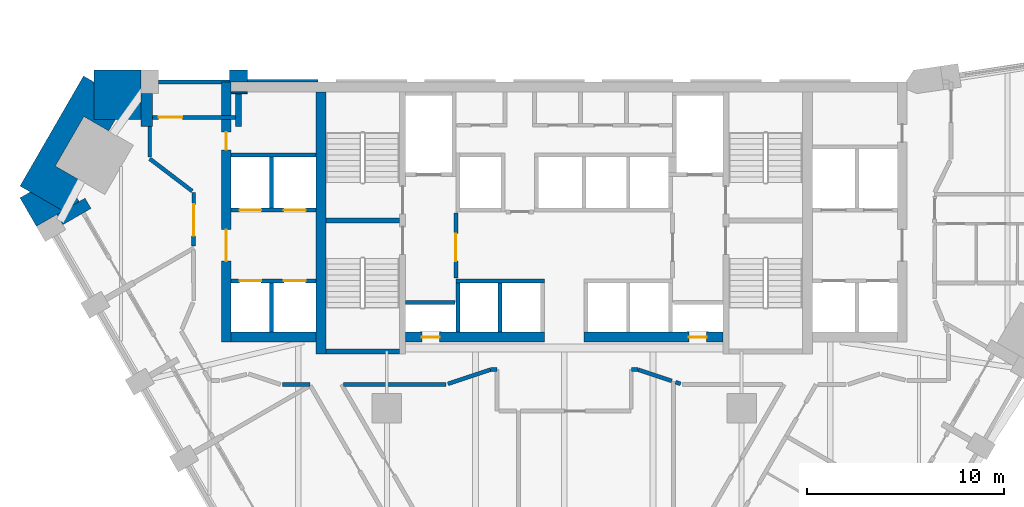
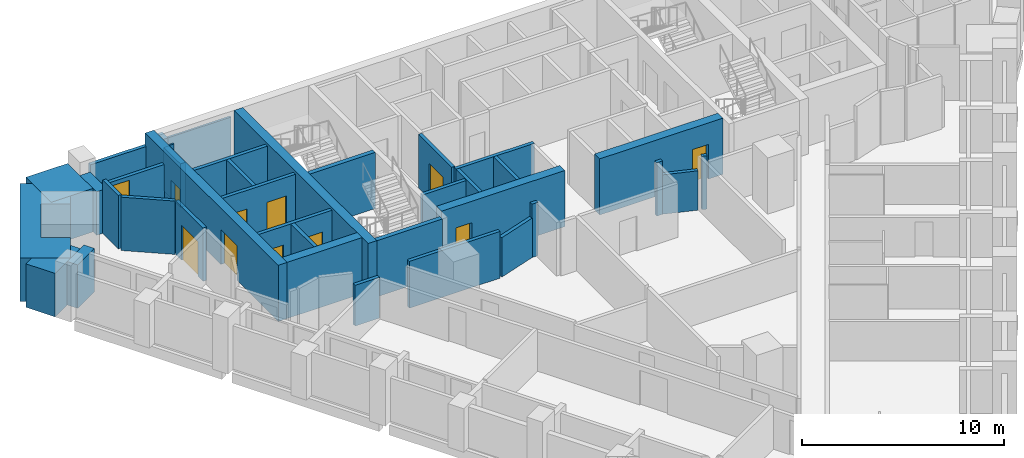
# One storey, part 6 of 11: 38 walls, 11 doors, 11 openings.
"""IFC4 building model written with IfcOpenShell, lengths in metres."""

from ifc_helpers import new_model, si_unit, direction, frame, frame_2d, origin, place, context, subcontext, project, spatial, polyline, rectangle, outline, extrude, material, layer, layer_set, type_object, element, fill, save


model = new_model("IFC4")

# Units and contexts
model_context = context("Model", 3, precision=1e-05, world=origin(), true_north=direction((0.0, 1.0)))
body_context = subcontext(model_context, "Body", "Model", "MODEL_VIEW")
ifc_project = project(units=[si_unit("LENGTHUNIT", "METRE"), si_unit("AREAUNIT", "SQUARE_METRE"), si_unit("VOLUMEUNIT", "CUBIC_METRE"), si_unit("PLANEANGLEUNIT", "RADIAN"), si_unit("MASSUNIT", "GRAM", prefix="KILO")], contexts=[model_context])

# Site, building, storey
site_placement = place(None, origin())
site = spatial("IfcSite", under=ifc_project, at=site_placement, CompositionType="ELEMENT")
building_placement = place(site_placement, origin())
building = spatial("IfcBuilding", under=site, at=building_placement, Name="Calabash Gate Tower", CompositionType="ELEMENT")
storey_placement = place(building_placement, frame((0.0, 0.0, 115.60009765625)))
storey = spatial("IfcBuildingStorey", under=building, at=storey_placement, Name="L26", CompositionType="ELEMENT", Elevation=115.60009765625)

# Walls
ifc_material_1 = material(Name="Terracotta brick masonry, exposed face", Category="masonry")
ifc_layer_1 = layer(ifc_material_1, 2.5)
ifc_layer_set_1 = layer_set([ifc_layer_1], Name="Brick corner mass wall 2500")
wall_type_1 = type_object("IfcWallType", Name="Brick corner mass wall 2500", PredefinedType="SOLIDWALL", material=ifc_layer_set_1)
wall_1_placement = place(storey_placement, origin())
element("IfcWall", 1, at=wall_1_placement, inside=storey, type_object=wall_type_1, Name="Brick corner pier S07 3a", PredefinedType="SOLIDWALL", context=body_context, shape_type="SweptSolid", body=[
    extrude(outline(polyline([(-23.87255859375, 17.152587890625), (-21.48291015625, 17.152587890625), (-21.48291015625, 18.452880859375), (-21.48291015625, 18.452880859375), (-21.48291015625, 19.652587890625), (-23.87255859375, 19.652587890625), (-23.87255859375, 17.152587890625)])), origin(), (0.0, 0.0, 1.0), 2.6298828125),
])
wall_2_placement = place(storey_placement, origin())
element("IfcWall", 2, at=wall_2_placement, inside=storey, type_object=wall_type_1, Name="Brick corner pier S07 3b", PredefinedType="SOLIDWALL", context=body_context, shape_type="SweptSolid", body=[
    extrude(outline(polyline([(-23.114013671875, 16.56640625), (-22.775634765625, 17.152587890625), (-23.87255859375, 17.152587890625), (-23.87255859375, 19.052490234375), (-24.392333984375, 19.3525390625), (-27.616455078125, 13.76806640625), (-25.451416015625, 12.51806640625), (-24.56396484375, 14.054931640625), (-25.82373046875, 14.7822265625), (-24.373779296875, 17.293701171875), (-23.114013671875, 16.56640625)])), origin(), (0.0, 0.0, 1.0), 2.6298828125),
])
wall_3_placement = place(storey_placement, origin())
element("IfcWall", 3, at=wall_3_placement, inside=storey, type_object=wall_type_1, Name="Brick corner pier S07 3c", PredefinedType="SOLIDWALL", context=body_context, shape_type="SweptSolid", body=[
    extrude(outline(polyline([(-26.78369140625, 11.725830078125), (-24.61865234375, 12.975830078125), (-24.90283203125, 13.46826171875), (-25.451416015625, 12.51806640625), (-27.0966796875, 13.46826171875), (-27.616455078125, 13.168212890625), (-26.78369140625, 11.725830078125)])), origin(), (0.0, 0.0, 1.0), 2.6298828125),
])
ifc_material_2 = material(Name="Terracotta brick masonry, exposed face", Category="masonry")
ifc_layer_2 = layer(ifc_material_2, 1.199951171875)
ifc_layer_set_2 = layer_set([ifc_layer_2], Name="Brick end wall 1200")
wall_type_2 = type_object("IfcWallType", Name="Brick end wall 1200", PredefinedType="SOLIDWALL", material=ifc_layer_set_2)
wall_4_placement = place(storey_placement, origin())
element("IfcWall", 4, at=wall_4_placement, inside=storey, type_object=wall_type_2, Name="Brick pier S07 N6.7a", PredefinedType="SOLIDWALL", context=body_context, shape_type="SweptSolid", body=[
    extrude(outline(polyline([(-16.0830078125, 19.052490234375), (-16.0830078125, 19.652587890625), (-16.98291015625, 19.652587890625), (-16.98291015625, 19.052490234375), (-16.0830078125, 19.052490234375)])), origin(), (0.0, 0.0, 1.0), 2.64990234375),
])
wall_5_placement = place(storey_placement, origin())
element("IfcWall", 5, at=wall_5_placement, inside=storey, type_object=wall_type_2, Name="Brick pier S07 N6.7b", PredefinedType="SOLIDWALL", context=body_context, shape_type="SweptSolid", body=[
    extrude(outline(polyline([(-16.0830078125, 18.45263671875), (-16.0830078125, 18.552490234375), (-16.89990234375, 18.552490234375), (-16.89990234375, 18.45263671875), (-16.0830078125, 18.45263671875)])), origin(), (0.0, 0.0, 1.0), 2.64990234375),
])
ifc_material_3 = material(Name="Terracotta brick masonry, exposed face", Category="masonry")
ifc_layer_3 = layer(ifc_material_3, 0.300048828125)
ifc_layer_set_3 = layer_set([ifc_layer_3], Name="Brick loggia cheek wall 300")
wall_type_3 = type_object("IfcWallType", Name="Brick loggia cheek wall 300", PredefinedType="SOLIDWALL", material=ifc_layer_set_3)
wall_6_placement = place(storey_placement, frame((-25.594482421875, 12.06591796875, 0.0), z_axis=(0.0, 0.0, 1.0), x_axis=(0.866040211805, 0.499974350878, 0.0)))
element("IfcWall", 6, at=wall_6_placement, inside=storey, type_object=wall_type_3, Name="Loggia cheek S07 SW0.0", PredefinedType="SOLIDWALL", context=body_context, shape_type="SweptSolid", body=[
    extrude(rectangle(XDim=1.64990234375, YDim=0.60009765625, at=frame_2d((0.824951171875, 0.0))), origin(), (0.0, 0.0, 1.0), 2.6298828125),
])
wall_7_placement = place(storey_placement, origin())
element("IfcWall", 7, at=wall_7_placement, inside=storey, type_object=wall_type_3, Name="Loggia cheek S07 N6.7", PredefinedType="SOLIDWALL", context=body_context, shape_type="SweptSolid", body=[
    extrude(outline(polyline([(-16.383056640625, 16.802490234375), (-16.383056640625, 18.45263671875), (-16.682861328125, 18.45263671875), (-16.682861328125, 16.802490234375), (-16.383056640625, 16.802490234375)])), origin(), (0.0, 0.0, 1.0), 2.64990234375),
])
wall_8_placement = place(storey_placement, origin())
element("IfcWall", 8, at=wall_8_placement, inside=storey, type_object=wall_type_3, Name="Loggia cheek S07 N6.8", PredefinedType="SOLIDWALL", context=body_context, shape_type="SweptSolid", body=[
    extrude(outline(polyline([(-21.48291015625, 18.45263671875), (-21.48291015625, 16.802490234375), (-20.883056640625, 16.802490234375), (-20.883056640625, 18.45263671875), (-21.48291015625, 18.45263671875)])), origin(), (0.0, 0.0, 1.0), 2.6298828125),
])
ifc_material_4 = material(Name="Concrete C80/95", Category="concrete")
ifc_layer_4 = layer(ifc_material_4, 0.25)
ifc_layer_set_4 = layer_set([ifc_layer_4], Name="Core wall 250 Concrete C80/95")
wall_type_4 = type_object("IfcWallType", Name="Core wall 250 Concrete C80/95", PredefinedType="SHEAR", material=ifc_layer_set_4)
for number, where, z_axis, x_axis, name in (
    (9, (-12.10009765625, 12.027587890625, 0.0), (0.0, 0.0, 1.0), (1.0, 0.0, 0.0), "Core wall Z2-MIDW L26"),
    (10, (-12.10009765625, 5.377685546875, 0.0), (0.0, 0.0, 1.0), (1.0, 0.0, 0.0), "Core wall Z2-SSW L26"),
):
    element("IfcWall", number, at=place(storey_placement, frame(where, z_axis=z_axis, x_axis=x_axis)), inside=storey, type_object=wall_type_4, Name=name, PredefinedType="SHEAR", context=body_context, shape_type="SweptSolid", body=[
        extrude(rectangle(XDim=3.75, YDim=0.25, at=frame_2d((1.875, 0.0))), origin(), (0.0, 0.0, 1.0), 3.39990234375),
    ])
ifc_material_5 = material(Name="Concrete C80/95", Category="concrete")
ifc_layer_5 = layer(ifc_material_5, 0.5)
ifc_layer_set_5 = layer_set([ifc_layer_5], Name="Core wall 500 Concrete C80/95")
wall_type_5 = type_object("IfcWallType", Name="Core wall 500 Concrete C80/95", PredefinedType="SHEAR", material=ifc_layer_set_5)
wall_9_placement = place(storey_placement, frame((-12.35009765625, 5.252685546875, 0.0), z_axis=(0.0, 0.0, 1.0), x_axis=(0.0, 1.0, 0.0)))
element("IfcWall", 11, at=wall_9_placement, inside=storey, type_object=wall_type_5, Name="Core wall Z2-COLW L26", PredefinedType="SHEAR", context=body_context, shape_type="SweptSolid", body=[
    extrude(rectangle(XDim=13.2998046875, YDim=0.5, at=frame_2d((6.64990234375, 0.0))), origin(), (0.0, 0.0, 1.0), 3.39990234375),
])

# Wall, opening, door
wall_10_placement = place(storey_placement, frame((-8.050048828125, 6.1025390625, 0.0), z_axis=(0.0, 0.0, 1.0), x_axis=(1.0, 0.0, 0.0)))
wall_10 = element("IfcWall", 12, at=wall_10_placement, inside=storey, type_object=wall_type_5, Name="Core wall Z2-SA L26", PredefinedType="SHEAR", context=body_context, shape_type="SweptSolid", body=[
    extrude(rectangle(XDim=7.050048828125, YDim=0.5, at=frame_2d((3.52490234375, 0.0))), origin(), (0.0, 0.0, 1.0), 3.39990234375),
])
opening_1_placement = place(wall_10_placement, frame((0.824951171875, 0.0, 0.0)))
opening_1 = element("IfcOpeningElement", 13, at=opening_1_placement, cuts=wall_10, Name="Opening H7-013", PredefinedType="OPENING", context=body_context, shape_type="SweptSolid", body=[
    extrude(rectangle(XDim=0.89990234375, YDim=2.10009765625, at=frame_2d((0.449951171875, 1.050048828125))), frame((0.0, 0.260009765625, 0.0), z_axis=(0.0, -1.0, 0.0), x_axis=(1.0, 0.0, 0.0)), (0.0, 0.0, 1.0), 0.52001953125),
])
ifc_material_6 = material(Name="Steel fire door set with fire-resisting glazing", Category="steel")
door_type_1 = type_object("IfcDoorType", Name="Fire door D07 900x2100 FD90", OperationType="NOTDEFINED", PredefinedType="DOOR", material=ifc_material_6)
door_1_placement = place(opening_1_placement, origin())
door_1 = element("IfcDoor", 14, at=door_1_placement, inside=storey, type_object=door_type_1, Name="Electrical Riser W door", OperationType="SINGLE_SWING_LEFT", OverallHeight=2.10009765625, OverallWidth=0.89990234375, PredefinedType="DOOR", context=body_context, shape_type="SweptSolid", body=[
    extrude(rectangle(XDim=0.89990234375, YDim=2.10009765625, at=frame_2d((0.449951171875, 1.050048828125))), frame((0.0, 0.02490234375, 0.0), z_axis=(0.0, -1.0, 0.0), x_axis=(1.0, 0.0, 0.0)), (0.0, 0.0, 1.0), 0.050048828125),
])
fill(opening_1, door_1)

wall_11_placement = place(storey_placement, frame((1.0, 6.1025390625, 0.0), z_axis=(0.0, 0.0, 1.0), x_axis=(1.0, 0.0, 0.0)))
wall_11 = element("IfcWall", 15, at=wall_11_placement, inside=storey, type_object=wall_type_5, Name="Core wall Z2-SB L26", PredefinedType="SHEAR", context=body_context, shape_type="SweptSolid", body=[
    extrude(rectangle(XDim=7.050048828125, YDim=0.5, at=frame_2d((3.52490234375, 0.0))), origin(), (0.0, 0.0, 1.0), 3.39990234375),
])
opening_2_placement = place(wall_11_placement, frame((5.324951171875, 0.0, 0.0)))
opening_2 = element("IfcOpeningElement", 16, at=opening_2_placement, cuts=wall_11, Name="Opening H7-012", PredefinedType="OPENING", context=body_context, shape_type="SweptSolid", body=[
    extrude(rectangle(XDim=0.89990234375, YDim=2.10009765625, at=frame_2d((0.449951171875, 1.050048828125))), frame((0.0, 0.260009765625, 0.0), z_axis=(0.0, -1.0, 0.0), x_axis=(1.0, 0.0, 0.0)), (0.0, 0.0, 1.0), 0.52001953125),
])
door_2_placement = place(opening_2_placement, origin())
door_2 = element("IfcDoor", 17, at=door_2_placement, inside=storey, type_object=door_type_1, Name="Mechanical Riser E door", OperationType="SINGLE_SWING_RIGHT", OverallHeight=2.10009765625, OverallWidth=0.89990234375, PredefinedType="DOOR", context=body_context, shape_type="SweptSolid", body=[
    extrude(rectangle(XDim=0.89990234375, YDim=2.10009765625, at=frame_2d((0.449951171875, 1.050048828125))), frame((0.0, 0.02490234375, 0.0), z_axis=(0.0, -1.0, 0.0), x_axis=(1.0, 0.0, 0.0)), (0.0, 0.0, 1.0), 0.050048828125),
])
fill(opening_2, door_2)

# Wall
wall_12_placement = place(storey_placement, frame((-12.60009765625, 6.1025390625, 0.0), z_axis=(0.0, 0.0, 1.0), x_axis=(-1.0, 0.0, 0.0)))
element("IfcWall", 18, at=wall_12_placement, inside=storey, type_object=wall_type_5, Name="Core wall Z2-SW L26", PredefinedType="SHEAR", context=body_context, shape_type="SweptSolid", body=[
    extrude(rectangle(XDim=4.2998046875, YDim=0.5, at=frame_2d((2.14990234375, 0.0))), origin(), (0.0, 0.0, 1.0), 3.39990234375),
])

# Wall, openings, doors
wall_13_placement = place(storey_placement, frame((-17.14990234375, 5.8525390625, 0.0), z_axis=(0.0, 0.0, 1.0), x_axis=(0.0, 1.0, 0.0)))
wall_13 = element("IfcWall", 19, at=wall_13_placement, inside=storey, type_object=wall_type_5, Name="Core wall Z2-ENDW L26", PredefinedType="SHEAR", context=body_context, shape_type="SweptSolid", body=[
    extrude(rectangle(XDim=13.199951171875, YDim=0.5, at=frame_2d((6.60009765625, 0.0))), origin(), (0.0, 0.0, 1.0), 3.39990234375),
])
opening_3_placement = place(wall_13_placement, frame((4.10009765625, 0.0, 0.0)))
opening_3 = element("IfcOpeningElement", 20, at=opening_3_placement, cuts=wall_13, Name="Opening H7-003", PredefinedType="OPENING", context=body_context, shape_type="SweptSolid", body=[
    extrude(rectangle(XDim=1.60009765625, YDim=2.10009765625, at=frame_2d((0.800048828125, 1.050048828125))), frame((0.0, 0.260009765625, 0.0), z_axis=(0.0, -1.0, 0.0), x_axis=(1.0, 0.0, 0.0)), (0.0, 0.0, 1.0), 0.52001953125),
])
opening_4_placement = place(wall_13_placement, frame((9.75, 0.0, 0.0)))
opening_4 = element("IfcOpeningElement", 21, at=opening_4_placement, cuts=wall_13, Name="Opening H7-004", PredefinedType="OPENING", context=body_context, shape_type="SweptSolid", body=[
    extrude(rectangle(XDim=0.89990234375, YDim=2.10009765625, at=frame_2d((0.449951171875, 1.050048828125))), frame((0.0, 0.260009765625, 0.0), z_axis=(0.0, -1.0, 0.0), x_axis=(1.0, 0.0, 0.0)), (0.0, 0.0, 1.0), 0.52001953125),
])
ifc_material_7 = material(Name="Steel fire door set with fire-resisting glazing", Category="steel")
door_type_2 = type_object("IfcDoorType", Name="Double fire door D08 1600x2100 FD60", OperationType="DOUBLE_DOOR_SINGLE_SWING", PredefinedType="DOOR", material=ifc_material_7)
door_3_placement = place(opening_3_placement, origin())
door_3 = element("IfcDoor", 22, at=door_3_placement, inside=storey, type_object=door_type_2, Name="Low-rise Lift Lobby W door", OperationType="DOUBLE_DOOR_SINGLE_SWING", OverallHeight=2.10009765625, OverallWidth=1.60009765625, PredefinedType="DOOR", context=body_context, shape_type="SweptSolid", body=[
    extrude(rectangle(XDim=1.60009765625, YDim=2.10009765625, at=frame_2d((0.800048828125, 1.050048828125))), frame((0.0, 0.02490234375, 0.0), z_axis=(0.0, -1.0, 0.0), x_axis=(1.0, 0.0, 0.0)), (0.0, 0.0, 1.0), 0.050048828125),
])
fill(opening_3, door_3)
ifc_material_8 = material(Name="Steel fire door set with fire-resisting glazing", Category="steel")
door_type_3 = type_object("IfcDoorType", Name="Fire door D06 900x2100 FD60", OperationType="NOTDEFINED", PredefinedType="DOOR", material=ifc_material_8)
door_4_placement = place(opening_4_placement, origin())
door_4 = element("IfcDoor", 23, at=door_4_placement, inside=storey, type_object=door_type_3, Name="Cleaner's Store door", OperationType="SINGLE_SWING_RIGHT", OverallHeight=2.10009765625, OverallWidth=0.89990234375, PredefinedType="DOOR", context=body_context, shape_type="SweptSolid", body=[
    extrude(rectangle(XDim=0.89990234375, YDim=2.10009765625, at=frame_2d((0.449951171875, 1.050048828125))), frame((0.0, 0.02490234375, 0.0), z_axis=(0.0, -1.0, 0.0), x_axis=(1.0, 0.0, 0.0)), (0.0, 0.0, 1.0), 0.050048828125),
])
fill(opening_4, door_4)

# Walls
ifc_material_9 = material(Name="Gypsum board on steel studs, mineral wool", Category="steel")
ifc_layer_6 = layer(ifc_material_9, 0.199951171875)
ifc_layer_set_6 = layer_set([ifc_layer_6], Name="Partition 200 gypsum board EI 60")
wall_type_6 = type_object("IfcWallType", Name="Partition 200 gypsum board EI 60", PredefinedType="PARTITIONING", material=ifc_layer_set_6)
wall_14_placement = place(storey_placement, frame((-14.300048828125, 3.699462890625, 0.0), z_axis=(0.0, 0.0, 1.0), x_axis=(1.0, 0.0, 0.0)))
element("IfcWall", 24, at=wall_14_placement, inside=storey, type_object=wall_type_6, Name="Partition", PredefinedType="PARTITIONING", context=body_context, shape_type="SweptSolid", body=[
    extrude(rectangle(XDim=1.387451171875, YDim=0.199951171875, at=frame_2d((0.69384765625, 0.0))), origin(), (0.0, 0.0, 1.0), 2.473388671875),
])
wall_15_placement = place(storey_placement, frame((-11.1953125, 3.69970703125, 0.0), z_axis=(0.0, 0.0, 1.0), x_axis=(1.0, 0.0, 0.0)))
element("IfcWall", 25, at=wall_15_placement, inside=storey, type_object=wall_type_6, Name="Partition", PredefinedType="PARTITIONING", context=body_context, shape_type="SweptSolid", body=[
    extrude(rectangle(XDim=5.1953125, YDim=0.199951171875, at=frame_2d((2.59765625, 0.0))), origin(), (0.0, 0.0, 1.0), 2.83154296875),
])
wall_16_placement = place(storey_placement, frame((5.64501953125, 3.816650390625, 0.0), z_axis=(0.0, 0.0, 1.0), x_axis=(0.950012851822, -0.312210796374, 0.0)))
element("IfcWall", 26, at=wall_16_placement, inside=storey, type_object=wall_type_6, Name="Partition", PredefinedType="PARTITIONING", context=body_context, shape_type="SweptSolid", body=[
    extrude(rectangle(XDim=0.273681640625, YDim=0.199951171875, at=frame_2d((0.13671875, 0.0))), origin(), (0.0, 0.0, 1.0), 3.22998046875),
])
wall_17_placement = place(storey_placement, frame((3.7421875, 4.452392578125, 0.0), z_axis=(0.0, 0.0, 1.0), x_axis=(0.948371897829, -0.317160437962, 0.0)))
element("IfcWall", 27, at=wall_17_placement, inside=storey, type_object=wall_type_6, Name="Partition", PredefinedType="PARTITIONING", context=body_context, shape_type="SweptSolid", body=[
    extrude(rectangle(XDim=1.805908203125, YDim=0.199951171875, at=frame_2d((0.90283203125, 0.0))), origin(), (0.0, 0.0, 1.0), 2.384033203125),
])
wall_18_placement = place(storey_placement, frame((-5.905029296875, 3.7314453125, 0.0), z_axis=(0.0, 0.0, 1.0), x_axis=(0.948683298051, 0.316227766017, 0.0)))
element("IfcWall", 28, at=wall_18_placement, inside=storey, type_object=wall_type_6, Name="Partition", PredefinedType="PARTITIONING", context=body_context, shape_type="SweptSolid", body=[
    extrude(rectangle(XDim=2.27978515625, YDim=0.199951171875, at=frame_2d((1.139892578125, 0.0))), origin(), (0.0, 0.0, 1.0), 2.384033203125),
])
for number, where, z_axis, x_axis, name in (
    (29, (-3.7421875, 4.452392578125, 0.0), (0.0, 0.0, 1.0), (0.999987374295, -0.005025062182, 0.0), "Partition"),
    (30, (3.402099609375, 4.45068359375, 0.0), (0.0, 0.0, 1.0), (0.999987374295, 0.005025062182, 0.0), "Partition"),
):
    element("IfcWall", number, at=place(storey_placement, frame(where, z_axis=z_axis, x_axis=x_axis)), inside=storey, type_object=wall_type_6, Name=name, PredefinedType="PARTITIONING", context=body_context, shape_type="SweptSolid", body=[
        extrude(rectangle(XDim=0.340087890625, YDim=0.199951171875, at=frame_2d((0.169921875, 0.0))), origin(), (0.0, 0.0, 1.0), 3.22998046875),
    ])

# Wall, opening, door
wall_19_placement = place(storey_placement, frame((-18.802001953125, 10.71826171875, 0.0), z_axis=(0.0, 0.0, 1.0), x_axis=(0.000535762045, 0.99999985648, 0.0)))
wall_19 = element("IfcWall", 31, at=wall_19_placement, inside=storey, type_object=wall_type_6, Name="Partition", PredefinedType="PARTITIONING", context=body_context, shape_type="SweptSolid", body=[
    extrude(rectangle(XDim=2.734130859375, YDim=0.199951171875, at=frame_2d((1.3671875, 0.0))), origin(), (0.0, 0.0, 1.0), 3.22998046875),
])
opening_5_placement = place(wall_19_placement, frame((0.516357421875, 0.0, 0.0)))
opening_5 = element("IfcOpeningElement", 32, at=opening_5_placement, cuts=wall_19, Name="Opening 25-27-022", PredefinedType="OPENING", context=body_context, shape_type="SweptSolid", body=[
    extrude(rectangle(XDim=1.60009765625, YDim=2.10009765625, at=frame_2d((0.800048828125, 1.050048828125))), frame((0.0, 0.10986328125, 0.0), z_axis=(0.0, -1.0, 0.0), x_axis=(1.0, 0.0, 0.0)), (0.0, 0.0, 1.0), 0.219970703125),
])
ifc_material_10 = material(Name="Steel fire door set with fire-resisting glazing", Category="steel")
door_type_4 = type_object("IfcDoorType", Name="LD1 Lounge double door 1600x2100", OperationType="NOTDEFINED", PredefinedType="DOOR", material=ifc_material_10)
door_5_placement = place(opening_5_placement, origin())
door_5 = element("IfcDoor", 33, at=door_5_placement, inside=storey, type_object=door_type_4, Name="Lounge double door", OperationType="DOUBLE_DOOR_SINGLE_SWING", OverallHeight=2.10009765625, OverallWidth=1.60009765625, PredefinedType="DOOR", context=body_context, shape_type="SweptSolid", body=[
    extrude(rectangle(XDim=1.60009765625, YDim=2.10009765625, at=frame_2d((0.800048828125, 1.050048828125))), frame((0.0, 0.02490234375, 0.0), z_axis=(0.0, -1.0, 0.0), x_axis=(1.0, 0.0, 0.0)), (0.0, 0.0, 1.0), 0.050048828125),
])
fill(opening_5, door_5)

# Walls
wall_20_placement = place(storey_placement, frame((-21.033447265625, 15.15234375, 0.0), z_axis=(0.0, 0.0, 1.0), x_axis=(0.79564910386, -0.605757792791, 0.0)))
element("IfcWall", 34, at=wall_20_placement, inside=storey, type_object=wall_type_6, Name="Partition", PredefinedType="PARTITIONING", context=body_context, shape_type="SweptSolid", body=[
    extrude(rectangle(XDim=2.706298828125, YDim=0.199951171875, at=frame_2d((1.35302734375, 0.0))), origin(), (0.0, 0.0, 1.0), 3.22998046875),
])
wall_21_placement = place(storey_placement, frame((-21.033447265625, 16.802490234375, 0.0), z_axis=(0.0, 0.0, 1.0), x_axis=(0.0, -1.0, 0.0)))
element("IfcWall", 35, at=wall_21_placement, inside=storey, type_object=wall_type_6, Name="Partition", PredefinedType="PARTITIONING", context=body_context, shape_type="SweptSolid", body=[
    extrude(rectangle(XDim=1.55029296875, YDim=0.199951171875, at=frame_2d((0.775146484375, 0.0))), origin(), (0.0, 0.0, 1.0), 3.22998046875),
])
ifc_material_11 = material(Name="Concrete C40/50", Category="concrete")
ifc_layer_7 = layer(ifc_material_11, 0.199951171875)
ifc_layer_set_7 = layer_set([ifc_layer_7], Name="Shaft wall 200 Concrete C40/50")
wall_type_7 = type_object("IfcWallType", Name="Shaft wall 200 Concrete C40/50", PredefinedType="SOLIDWALL", material=ifc_layer_set_7)
for number, where, z_axis, x_axis, name in (
    (36, (-14.85009765625, 6.3525390625, 0.0), (0.0, 0.0, 1.0), (0.0, 1.0, 0.0), "Shaft wall"),
    (37, (-5.39990234375, 6.3525390625, 0.0), (0.0, 0.0, 1.0), (0.0, 1.0, 0.0), "Shaft wall"),
    (38, (-3.25, 6.3525390625, 0.0), (0.0, 0.0, 1.0), (0.0, 1.0, 0.0), "Shaft wall"),
    (39, (-8.050048828125, 7.8525390625, 0.0), (0.0, 0.0, 1.0), (1.0, 0.0, 0.0), "Shaft wall"),
):
    element("IfcWall", number, at=place(storey_placement, frame(where, z_axis=z_axis, x_axis=x_axis)), inside=storey, type_object=wall_type_7, Name=name, PredefinedType="SOLIDWALL", context=body_context, shape_type="SweptSolid", body=[
        extrude(rectangle(XDim=2.5, YDim=0.199951171875, at=frame_2d((1.25, 0.0))), origin(), (0.0, 0.0, 1.0), 3.22998046875),
    ])

# Wall, openings, doors
wall_22_placement = place(storey_placement, frame((-16.89990234375, 8.95263671875, 0.0), z_axis=(0.0, 0.0, 1.0), x_axis=(1.0, 0.0, 0.0)))
wall_22 = element("IfcWall", 40, at=wall_22_placement, inside=storey, type_object=wall_type_7, Name="Shaft wall", PredefinedType="SOLIDWALL", context=body_context, shape_type="SweptSolid", body=[
    extrude(rectangle(XDim=4.2998046875, YDim=0.199951171875, at=frame_2d((2.14990234375, 0.0))), origin(), (0.0, 0.0, 1.0), 3.22998046875),
])
opening_6_placement = place(wall_22_placement, frame((2.675048828125, 0.0, 0.0)))
opening_6 = element("IfcOpeningElement", 41, at=opening_6_placement, cuts=wall_22, Name="Opening LD-LR1", PredefinedType="OPENING", context=body_context, shape_type="SweptSolid", body=[
    extrude(rectangle(XDim=1.10009765625, YDim=2.10009765625, at=frame_2d((0.550048828125, 1.050048828125))), frame((0.0, 0.10986328125, 0.0), z_axis=(0.0, -1.0, 0.0), x_axis=(1.0, 0.0, 0.0)), (0.0, 0.0, 1.0), 0.219970703125),
])
opening_7_placement = place(wall_22_placement, frame((0.425048828125, 0.0, 0.0)))
opening_7 = element("IfcOpeningElement", 42, at=opening_7_placement, cuts=wall_22, Name="Opening LD-LR2", PredefinedType="OPENING", context=body_context, shape_type="SweptSolid", body=[
    extrude(rectangle(XDim=1.10009765625, YDim=2.10009765625, at=frame_2d((0.550048828125, 1.050048828125))), frame((0.0, 0.10986328125, 0.0), z_axis=(0.0, -1.0, 0.0), x_axis=(1.0, 0.0, 0.0)), (0.0, 0.0, 1.0), 0.219970703125),
])
ifc_material_12 = material(Name="Stainless steel sliding door leaves", Category="steel")
door_type_5 = type_object("IfcDoorType", Name="Lift landing door LS1 1100x2100 FD90", OperationType="DOUBLE_DOOR_SLIDING", PredefinedType="DOOR", material=ifc_material_12)
door_6_placement = place(opening_6_placement, origin())
door_6 = element("IfcDoor", 43, at=door_6_placement, inside=storey, type_object=door_type_5, Name="Lift landing door LR1", OperationType="DOUBLE_DOOR_SLIDING", OverallHeight=2.10009765625, OverallWidth=1.10009765625, PredefinedType="DOOR", context=body_context, shape_type="SweptSolid", body=[
    extrude(rectangle(XDim=1.10009765625, YDim=2.10009765625, at=frame_2d((0.550048828125, 1.050048828125))), frame((0.0, 0.02490234375, 0.0), z_axis=(0.0, -1.0, 0.0), x_axis=(1.0, 0.0, 0.0)), (0.0, 0.0, 1.0), 0.050048828125),
])
fill(opening_6, door_6)
door_7_placement = place(opening_7_placement, origin())
door_7 = element("IfcDoor", 44, at=door_7_placement, inside=storey, type_object=door_type_5, Name="Lift landing door LR2", OperationType="DOUBLE_DOOR_SLIDING", OverallHeight=2.10009765625, OverallWidth=1.10009765625, PredefinedType="DOOR", context=body_context, shape_type="SweptSolid", body=[
    extrude(rectangle(XDim=1.10009765625, YDim=2.10009765625, at=frame_2d((0.550048828125, 1.050048828125))), frame((0.0, 0.02490234375, 0.0), z_axis=(0.0, -1.0, 0.0), x_axis=(1.0, 0.0, 0.0)), (0.0, 0.0, 1.0), 0.050048828125),
])
fill(opening_7, door_7)

# Wall
wall_23_placement = place(storey_placement, frame((-5.5, 8.95263671875, 0.0), z_axis=(0.0, 0.0, 1.0), x_axis=(1.0, 0.0, 0.0)))
element("IfcWall", 45, at=wall_23_placement, inside=storey, type_object=wall_type_7, Name="Shaft wall", PredefinedType="SOLIDWALL", context=body_context, shape_type="SweptSolid", body=[
    extrude(rectangle(XDim=4.5, YDim=0.199951171875, at=frame_2d((2.25, 0.0))), origin(), (0.0, 0.0, 1.0), 3.22998046875),
])

# Wall, opening, door
wall_24_placement = place(storey_placement, frame((-5.5, 9.1025390625, 0.0), z_axis=(0.0, 0.0, 1.0), x_axis=(0.0, 1.0, 0.0)))
wall_24 = element("IfcWall", 46, at=wall_24_placement, inside=storey, type_object=wall_type_7, Name="Shaft wall", PredefinedType="SOLIDWALL", context=body_context, shape_type="SweptSolid", body=[
    extrude(rectangle(XDim=3.300048828125, YDim=0.199951171875, at=frame_2d((1.64990234375, 0.0))), origin(), (0.0, 0.0, 1.0), 3.22998046875),
])
opening_8_placement = place(wall_24_placement, frame((0.85009765625, 0.0, 0.0)))
opening_8 = element("IfcOpeningElement", 47, at=opening_8_placement, cuts=wall_24, Name="Opening H7-007", PredefinedType="OPENING", context=body_context, shape_type="SweptSolid", body=[
    extrude(rectangle(XDim=1.39990234375, YDim=2.10009765625, at=frame_2d((0.699951171875, 1.050048828125))), frame((0.0, 0.10986328125, 0.0), z_axis=(0.0, -1.0, 0.0), x_axis=(1.0, 0.0, 0.0)), (0.0, 0.0, 1.0), 0.219970703125),
])
ifc_material_13 = material(Name="Steel fire door set with fire-resisting glazing", Category="steel")
door_type_6 = type_object("IfcDoorType", Name="Fire door D05 1400x2100 FD90", OperationType="NOTDEFINED", PredefinedType="DOOR", material=ifc_material_13)
door_8_placement = place(opening_8_placement, origin())
door_8 = element("IfcDoor", 48, at=door_8_placement, inside=storey, type_object=door_type_6, Name="Firefighting Lobby W door", OperationType="SINGLE_SWING_RIGHT", OverallHeight=2.10009765625, OverallWidth=1.39990234375, PredefinedType="DOOR", context=body_context, shape_type="SweptSolid", body=[
    extrude(rectangle(XDim=1.39990234375, YDim=2.10009765625, at=frame_2d((0.699951171875, 1.050048828125))), frame((0.0, 0.02490234375, 0.0), z_axis=(0.0, -1.0, 0.0), x_axis=(1.0, 0.0, 0.0)), (0.0, 0.0, 1.0), 0.050048828125),
])
fill(opening_8, door_8)

# Wall, openings, doors
wall_25_placement = place(storey_placement, frame((-16.89990234375, 12.552490234375, 0.0), z_axis=(0.0, 0.0, 1.0), x_axis=(1.0, 0.0, 0.0)))
wall_25 = element("IfcWall", 49, at=wall_25_placement, inside=storey, type_object=wall_type_7, Name="Shaft wall", PredefinedType="SOLIDWALL", context=body_context, shape_type="SweptSolid", body=[
    extrude(rectangle(XDim=4.2998046875, YDim=0.199951171875, at=frame_2d((2.14990234375, 0.0))), origin(), (0.0, 0.0, 1.0), 3.22998046875),
])
opening_9_placement = place(wall_25_placement, frame((2.675048828125, 0.0, 0.0)))
opening_9 = element("IfcOpeningElement", 50, at=opening_9_placement, cuts=wall_25, Name="Opening LD-LR3", PredefinedType="OPENING", context=body_context, shape_type="SweptSolid", body=[
    extrude(rectangle(XDim=1.10009765625, YDim=2.10009765625, at=frame_2d((0.550048828125, 1.050048828125))), frame((0.0, 0.10986328125, 0.0), z_axis=(0.0, -1.0, 0.0), x_axis=(1.0, 0.0, 0.0)), (0.0, 0.0, 1.0), 0.219970703125),
])
opening_10_placement = place(wall_25_placement, frame((0.425048828125, 0.0, 0.0)))
opening_10 = element("IfcOpeningElement", 51, at=opening_10_placement, cuts=wall_25, Name="Opening LD-LR4", PredefinedType="OPENING", context=body_context, shape_type="SweptSolid", body=[
    extrude(rectangle(XDim=1.10009765625, YDim=2.10009765625, at=frame_2d((0.550048828125, 1.050048828125))), frame((0.0, 0.10986328125, 0.0), z_axis=(0.0, -1.0, 0.0), x_axis=(1.0, 0.0, 0.0)), (0.0, 0.0, 1.0), 0.219970703125),
])
door_9_placement = place(opening_9_placement, origin())
door_9 = element("IfcDoor", 52, at=door_9_placement, inside=storey, type_object=door_type_5, Name="Lift landing door LR3", OperationType="DOUBLE_DOOR_SLIDING", OverallHeight=2.10009765625, OverallWidth=1.10009765625, PredefinedType="DOOR", context=body_context, shape_type="SweptSolid", body=[
    extrude(rectangle(XDim=1.10009765625, YDim=2.10009765625, at=frame_2d((0.550048828125, 1.050048828125))), frame((0.0, 0.02490234375, 0.0), z_axis=(0.0, -1.0, 0.0), x_axis=(1.0, 0.0, 0.0)), (0.0, 0.0, 1.0), 0.050048828125),
])
fill(opening_9, door_9)
door_10_placement = place(opening_10_placement, origin())
door_10 = element("IfcDoor", 53, at=door_10_placement, inside=storey, type_object=door_type_5, Name="Lift landing door LR4", OperationType="DOUBLE_DOOR_SLIDING", OverallHeight=2.10009765625, OverallWidth=1.10009765625, PredefinedType="DOOR", context=body_context, shape_type="SweptSolid", body=[
    extrude(rectangle(XDim=1.10009765625, YDim=2.10009765625, at=frame_2d((0.550048828125, 1.050048828125))), frame((0.0, 0.02490234375, 0.0), z_axis=(0.0, -1.0, 0.0), x_axis=(1.0, 0.0, 0.0)), (0.0, 0.0, 1.0), 0.050048828125),
])
fill(opening_10, door_10)

# Walls
wall_26_placement = place(storey_placement, frame((-14.85009765625, 12.652587890625, 0.0), z_axis=(0.0, 0.0, 1.0), x_axis=(0.0, 1.0, 0.0)))
element("IfcWall", 54, at=wall_26_placement, inside=storey, type_object=wall_type_7, Name="Shaft wall", PredefinedType="SOLIDWALL", context=body_context, shape_type="SweptSolid", body=[
    extrude(rectangle(XDim=2.60009765625, YDim=0.199951171875, at=frame_2d((1.300048828125, 0.0))), origin(), (0.0, 0.0, 1.0), 3.22998046875),
])
wall_27_placement = place(storey_placement, frame((-16.89990234375, 15.3525390625, 0.0), z_axis=(0.0, 0.0, 1.0), x_axis=(1.0, 0.0, 0.0)))
element("IfcWall", 55, at=wall_27_placement, inside=storey, type_object=wall_type_7, Name="Shaft wall", PredefinedType="SOLIDWALL", context=body_context, shape_type="SweptSolid", body=[
    extrude(rectangle(XDim=4.2998046875, YDim=0.199951171875, at=frame_2d((2.14990234375, 0.0))), origin(), (0.0, 0.0, 1.0), 3.22998046875),
])
ifc_material_14 = material(Name="Terracotta brick masonry, perforated", Category="masonry")
ifc_layer_8 = layer(ifc_material_14, 0.1201171875)
ifc_layer_set_8 = layer_set([ifc_layer_8], Name="Terracotta jaali cladding A 120")
wall_type_8 = type_object("IfcWallType", Name="Terracotta jaali cladding A 120", PredefinedType="SOLIDWALL", material=ifc_layer_set_8)
wall_28_placement = place(storey_placement, origin())
element("IfcWall", 56, at=wall_28_placement, inside=storey, type_object=wall_type_8, Name="Jaali cladding S07 N6.7", PredefinedType="SOLIDWALL", context=body_context, shape_type="SweptSolid", body=[
    extrude(outline(polyline([(-16.08251953125, 19.172607421875), (-16.08251953125, 19.052490234375), (-12.48291015625, 19.052490234375), (-12.48291015625, 19.172607421875), (-16.08251953125, 19.172607421875)])), origin(), (0.0, 0.0, 1.0), 2.64990234375),
])
ifc_material_15 = material(Name="Terracotta brick masonry, perforated", Category="masonry")
ifc_layer_9 = layer(ifc_material_15, 0.199951171875)
ifc_layer_set_9 = layer_set([ifc_layer_9], Name="Terracotta jaali screen A")
wall_type_9 = type_object("IfcWallType", Name="Terracotta jaali screen A", PredefinedType="SOLIDWALL", material=ifc_layer_set_9)
wall_29_placement = place(storey_placement, origin())
element("IfcWall", 57, at=wall_29_placement, inside=storey, type_object=wall_type_9, Name="SCREEN A S07 N6.8", PredefinedType="SOLIDWALL", context=body_context, shape_type="SweptSolid", body=[
    extrude(outline(polyline([(-20.5830078125, 19.152587890625), (-20.5830078125, 18.95263671875), (-17.39990234375, 18.95263671875), (-17.39990234375, 19.052490234375), (-16.98291015625, 19.052490234375), (-16.98291015625, 19.152587890625), (-20.5830078125, 19.152587890625)])), origin(), (0.0, 0.0, 1.0), 2.64990234375),
])

# Wall, opening, door
ifc_material_16 = material(Name="Aluminium framed window wall with insulated spandrel", Category="aluminium")
ifc_layer_10 = layer(ifc_material_16, 0.199951171875)
ifc_layer_set_10 = layer_set([ifc_layer_10], Name="Window wall 200")
wall_type_10 = type_object("IfcWallType", Name="Window wall 200", PredefinedType="ELEMENTEDWALL", material=ifc_layer_set_10)
wall_30_placement = place(storey_placement, frame((-16.682861328125, 17.25244140625, 0.0), z_axis=(0.0, 0.0, 1.0), x_axis=(-1.0, 0.0, 0.0)))
wall_30 = element("IfcWall", 58, at=wall_30_placement, inside=storey, type_object=wall_type_10, Name="Window wall S07 N6.8", PredefinedType="ELEMENTEDWALL", context=body_context, shape_type="SweptSolid", body=[
    extrude(rectangle(XDim=4.2001953125, YDim=0.199951171875, at=frame_2d((2.10009765625, 0.0))), origin(), (0.0, 0.0, 1.0), 2.64990234375),
])
opening_11_placement = place(wall_30_placement, frame((2.699951171875, 0.0, 0.0)))
opening_11 = element("IfcOpeningElement", 59, at=opening_11_placement, cuts=wall_30, Name="Opening H7-018", PredefinedType="OPENING", context=body_context, shape_type="SweptSolid", body=[
    extrude(rectangle(XDim=1.199951171875, YDim=2.39990234375, at=frame_2d((0.60009765625, 1.199951171875))), frame((0.0, 0.10986328125, 0.0), z_axis=(0.0, -1.0, 0.0), x_axis=(1.0, 0.0, 0.0)), (0.0, 0.0, 1.0), 0.219970703125),
])
ifc_material_17 = material(Name="Anodised aluminium frame, bronze finish, impact-rated laminated clear glazing", Category="aluminium")
door_type_7 = type_object("IfcDoorType", Name="Loggia door DH1 1200x2400", OperationType="SLIDING_TO_LEFT", PredefinedType="DOOR", material=ifc_material_17)
door_11_placement = place(opening_11_placement, origin())
door_11 = element("IfcDoor", 60, at=door_11_placement, inside=storey, type_object=door_type_7, Name="Loggia door S07 N6.8", OperationType="SINGLE_SWING_LEFT", OverallHeight=2.39990234375, OverallWidth=1.199951171875, PredefinedType="DOOR", context=body_context, shape_type="SweptSolid", body=[
    extrude(rectangle(XDim=1.199951171875, YDim=2.39990234375, at=frame_2d((0.60009765625, 1.199951171875))), frame((0.0, 0.02490234375, 0.0), z_axis=(0.0, -1.0, 0.0), x_axis=(1.0, 0.0, 0.0)), (0.0, 0.0, 1.0), 0.050048828125),
])
fill(opening_11, door_11)

save(model, "model.ifc")
